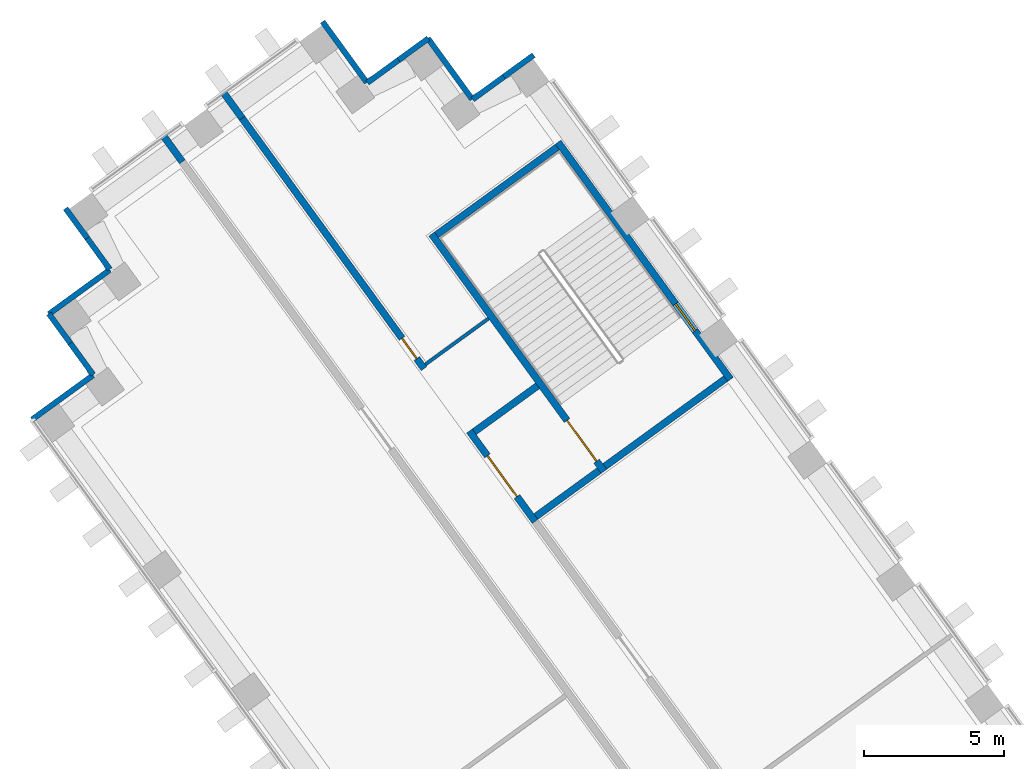
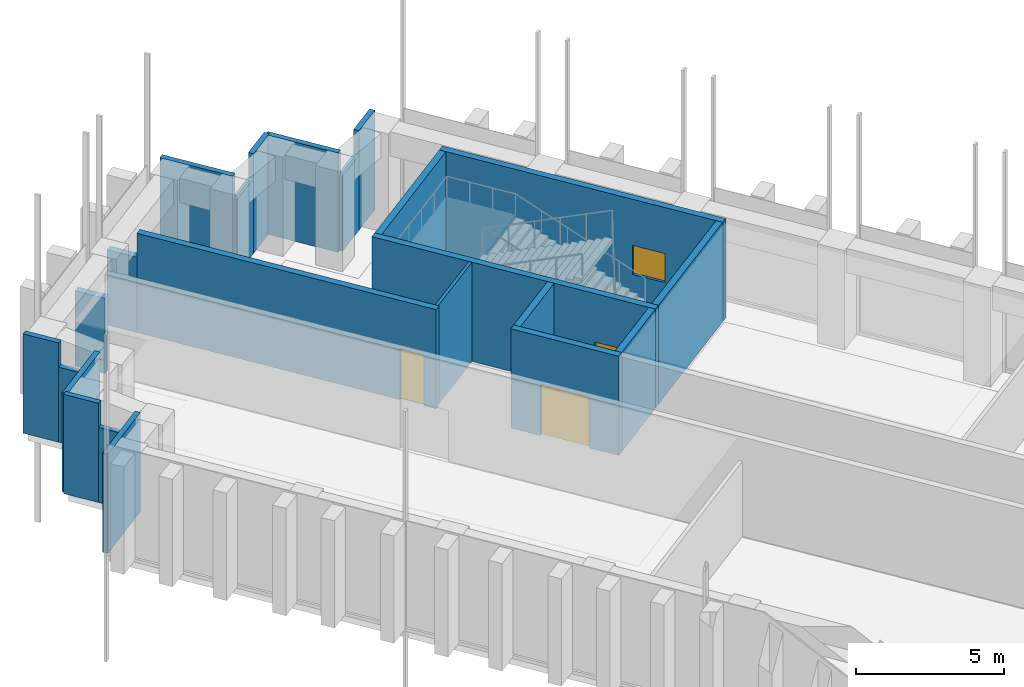
# One storey, part 12 of 18: 23 walls, 3 doors, 1 window, 4 openings.
"""IFC4 building model written with IfcOpenShell, lengths in metres."""

from ifc_helpers import new_model, si_unit, direction, frame, frame_2d, origin, place, context, subcontext, project, spatial, rectangle, extrude, material, layer, layer_set, type_object, element, fill, save


model = new_model("IFC4")

# Units and contexts
model_context = context("Model", 3, precision=1e-05, world=origin(), true_north=direction((0.0, 1.0)))
body_context = subcontext(model_context, "Body", "Model", "MODEL_VIEW")
ifc_project = project(units=[si_unit("LENGTHUNIT", "METRE"), si_unit("AREAUNIT", "SQUARE_METRE"), si_unit("VOLUMEUNIT", "CUBIC_METRE"), si_unit("PLANEANGLEUNIT", "RADIAN"), si_unit("MASSUNIT", "GRAM", prefix="KILO")], contexts=[model_context])

# Site, building, storey
site_placement = place(None, origin())
site = spatial("IfcSite", under=ifc_project, at=site_placement, CompositionType="ELEMENT")
building_placement = place(site_placement, origin())
building = spatial("IfcBuilding", under=site, at=building_placement, Name="Quipu Civic Tower", CompositionType="ELEMENT")
storey_placement = place(building_placement, frame((0.0, 0.0, 16.0)))
storey = spatial("IfcBuildingStorey", under=building, at=storey_placement, Name="L03", CompositionType="ELEMENT", Elevation=16.0)

# Wall, opening, window
ifc_material_1 = material(Name="Concrete C70/85", Category="concrete")
ifc_layer_1 = layer(ifc_material_1, 0.25)
ifc_layer_set_1 = layer_set([ifc_layer_1], Name="Concrete C70/85")
wall_type_1 = type_object("IfcWallType", Name="Core wall 250", PredefinedType="SHEAR", material=ifc_layer_set_1)
wall_1_placement = place(storey_placement, frame((-30.239501953125, 31.06396484375, 0.0), z_axis=(0.0, 0.0, 1.0), x_axis=(-0.587795589702, 0.809009483706, 0.0)))
wall_1 = element("IfcWall", 1, at=wall_1_placement, inside=storey, type_object=wall_type_1, Name="Core wall", PredefinedType="SHEAR", context=body_context, shape_type="SweptSolid", body=[
    extrude(rectangle(XDim=10.5, YDim=0.25, at=frame_2d((5.25, 0.0))), origin(), (0.0, 0.0, 1.0), 4.10009765625),
])
opening_1_placement = place(wall_1_placement, frame((2.14990234375, 0.0, 1.0)))
opening_1 = element("IfcOpeningElement", 2, at=opening_1_placement, cuts=wall_1, Name="Opening SV-6", PredefinedType="OPENING", context=body_context, shape_type="SweptSolid", body=[
    extrude(rectangle(XDim=1.199951171875, YDim=1.199951171875, at=frame_2d((0.60009765625, 0.60009765625))), frame((0.0, 0.135009765625, 0.0), z_axis=(0.0, -1.0, 0.0), x_axis=(1.0, 0.0, 0.0)), (0.0, 0.0, 1.0), 0.27001953125),
])
ifc_material_2 = material(Name="Aluminium louvre", Category="aluminium")
window_type = type_object("IfcWindowType", Name="Stair ventilation louvre 1200 x 1200", PartitioningType="SINGLE_PANEL", PredefinedType="WINDOW", material=ifc_material_2)
window_placement = place(opening_1_placement, origin())
window = element("IfcWindow", 3, at=window_placement, inside=storey, type_object=window_type, Name="Stair ventilation opening", OverallHeight=1.199951171875, OverallWidth=1.199951171875, PartitioningType="SINGLE_PANEL", PredefinedType="WINDOW", context=body_context, shape_type="SweptSolid", body=[
    extrude(rectangle(XDim=1.199951171875, YDim=1.199951171875, at=frame_2d((0.60009765625, 0.60009765625))), frame((0.0, 0.030029296875, 0.0), z_axis=(0.0, -1.0, 0.0), x_axis=(1.0, 0.0, 0.0)), (0.0, 0.0, 1.0), 0.06005859375),
])
fill(opening_1, window)

# Walls
wall_2_placement = place(storey_placement, frame((-30.414306640625, 31.091796875, 0.0), z_axis=(0.0, 0.0, 1.0), x_axis=(-0.8089984606, -0.587810760999, 0.0)))
element("IfcWall", 4, at=wall_2_placement, inside=storey, type_object=wall_type_1, Name="Core wall", PredefinedType="SHEAR", context=body_context, shape_type="SweptSolid", body=[
    extrude(rectangle(XDim=5.35009765625, YDim=0.25, at=frame_2d((2.675048828125, 0.0))), origin(), (0.0, 0.0, 1.0), 4.10009765625),
])
wall_3_placement = place(storey_placement, frame((-36.43896484375, 39.384033203125, 0.0), z_axis=(0.0, 0.0, 1.0), x_axis=(-0.809020161303, -0.587780893365, 0.0)))
element("IfcWall", 5, at=wall_3_placement, inside=storey, type_object=wall_type_1, Name="Core wall", PredefinedType="SHEAR", context=body_context, shape_type="SweptSolid", body=[
    extrude(rectangle(XDim=5.349853515625, YDim=0.25, at=frame_2d((2.6748046875, 0.0))), origin(), (0.0, 0.0, 1.0), 4.10009765625),
])

# Wall, opening, door
wall_4_placement = place(storey_placement, frame((-40.94189453125, 36.26708984375, 0.0), z_axis=(0.0, 0.0, 1.0), x_axis=(0.587795589702, -0.809009483706, 0.0)))
wall_4 = element("IfcWall", 6, at=wall_4_placement, inside=storey, type_object=wall_type_1, Name="Core wall", PredefinedType="SHEAR", context=body_context, shape_type="SweptSolid", body=[
    extrude(rectangle(XDim=10.5, YDim=0.25, at=frame_2d((5.25, 0.0))), origin(), (0.0, 0.0, 1.0), 4.10009765625),
])
opening_2_placement = place(wall_4_placement, frame((8.25, 0.0, 0.0)))
opening_2 = element("IfcOpeningElement", 7, at=opening_2_placement, cuts=wall_4, Name="Opening CD-20", PredefinedType="OPENING", context=body_context, shape_type="SweptSolid", body=[
    extrude(rectangle(XDim=1.800048828125, YDim=2.10009765625, at=frame_2d((0.89990234375, 1.050048828125))), frame((0.0, 0.135009765625, 0.0), z_axis=(0.0, -1.0, 0.0), x_axis=(1.0, 0.0, 0.0)), (0.0, 0.0, 1.0), 0.27001953125),
])
ifc_material_3 = material(Name="Fire rated steel door", Category="steel")
door_type_1 = type_object("IfcDoorType", Name="Fire door FD90 double 1800 x 2100", OperationType="NOTDEFINED", PredefinedType="DOOR", material=ifc_material_3)
door_1_placement = place(opening_2_placement, origin())
door_1 = element("IfcDoor", 8, at=door_1_placement, inside=storey, type_object=door_type_1, Name="Door", OperationType="DOUBLE_DOOR_SINGLE_SWING", OverallHeight=2.10009765625, OverallWidth=1.800048828125, PredefinedType="DOOR", context=body_context, shape_type="SweptSolid", body=[
    extrude(rectangle(XDim=1.800048828125, YDim=2.10009765625, at=frame_2d((0.89990234375, 1.050048828125))), frame((0.0, 0.02490234375, 0.0), z_axis=(0.0, -1.0, 0.0), x_axis=(1.0, 0.0, 0.0)), (0.0, 0.0, 1.0), 0.050048828125),
])
fill(opening_2, door_1)

# Walls
for number, where, z_axis, x_axis, name in (
    (9, (-34.944580078125, 27.800048828125, 0.0), (0.0, 0.0, 1.0), (-0.809041377956, -0.587751689708, 0.0), "Core wall"),
    (10, (-37.14892578125, 30.833984375, 0.0), (0.0, 0.0, 1.0), (-0.808969789945, -0.58785021813, 0.0), "Core wall"),
):
    element("IfcWall", number, at=place(storey_placement, frame(where, z_axis=z_axis, x_axis=x_axis)), inside=storey, type_object=wall_type_1, Name=name, PredefinedType="SHEAR", context=body_context, shape_type="SweptSolid", body=[
        extrude(rectangle(XDim=2.800048828125, YDim=0.25, at=frame_2d((1.39990234375, 0.0))), origin(), (0.0, 0.0, 1.0), 4.10009765625),
    ])

# Wall, opening, door
wall_5_placement = place(storey_placement, frame((-39.588623046875, 29.2158203125, 0.0), z_axis=(0.0, 0.0, 1.0), x_axis=(0.587772420479, -0.809026317077, 0.0)))
wall_5 = element("IfcWall", 11, at=wall_5_placement, inside=storey, type_object=wall_type_1, Name="Core wall", PredefinedType="SHEAR", context=body_context, shape_type="SweptSolid", body=[
    extrude(rectangle(XDim=4.0, YDim=0.25, at=frame_2d((2.0, 0.0))), origin(), (0.0, 0.0, 1.0), 4.10009765625),
])
opening_3_placement = place(wall_5_placement, frame((1.10009765625, 0.0, 0.0)))
opening_3 = element("IfcOpeningElement", 12, at=opening_3_placement, cuts=wall_5, Name="Opening CD-21", PredefinedType="OPENING", context=body_context, shape_type="SweptSolid", body=[
    extrude(rectangle(XDim=1.800048828125, YDim=2.10009765625, at=frame_2d((0.89990234375, 1.050048828125))), frame((0.0, 0.135009765625, 0.0), z_axis=(0.0, -1.0, 0.0), x_axis=(1.0, 0.0, 0.0)), (0.0, 0.0, 1.0), 0.27001953125),
])
door_2_placement = place(opening_3_placement, origin())
door_2 = element("IfcDoor", 13, at=door_2_placement, inside=storey, type_object=door_type_1, Name="Lobby door", OperationType="DOUBLE_DOOR_SINGLE_SWING", OverallHeight=2.10009765625, OverallWidth=1.800048828125, PredefinedType="DOOR", context=body_context, shape_type="SweptSolid", body=[
    extrude(rectangle(XDim=1.800048828125, YDim=2.10009765625, at=frame_2d((0.89990234375, 1.050048828125))), frame((0.0, 0.02490234375, 0.0), z_axis=(0.0, -1.0, 0.0), x_axis=(1.0, 0.0, 0.0)), (0.0, 0.0, 1.0), 0.050048828125),
])
fill(opening_3, door_2)

ifc_material_4 = material(Name="Concrete C50/60", Category="concrete")
ifc_layer_2 = layer(ifc_material_4, 0.25)
ifc_layer_set_2 = layer_set([ifc_layer_2], Name="Concrete C50/60")
wall_type_2 = type_object("IfcWallType", Name="Corridor wall 250 concrete", PredefinedType="SOLIDWALL", material=ifc_layer_set_2)
wall_6_placement = place(storey_placement, frame((-47.724853515625, 40.414306640625, 0.0), z_axis=(0.0, 0.0, 1.0), x_axis=(0.587773291021, -0.809025684612, 0.0)))
wall_6 = element("IfcWall", 14, at=wall_6_placement, inside=storey, type_object=wall_type_2, Name="Corridor wall C03", PredefinedType="SOLIDWALL", context=body_context, shape_type="SweptSolid", body=[
    extrude(rectangle(XDim=11.07861328125, YDim=0.25, at=frame_2d((5.539306640625, 0.0))), origin(), (0.0, 0.0, 1.0), 4.10009765625),
])
opening_4_placement = place(wall_6_placement, frame((9.737060546875, 0.0, 0.0)))
opening_4 = element("IfcOpeningElement", 15, at=opening_4_placement, cuts=wall_6, Name="Opening D012", PredefinedType="OPENING", context=body_context, shape_type="SweptSolid", body=[
    extrude(rectangle(XDim=0.89990234375, YDim=2.10009765625, at=frame_2d((0.449951171875, 1.050048828125))), frame((0.0, 0.135009765625, 0.0), z_axis=(0.0, -1.0, 0.0), x_axis=(1.0, 0.0, 0.0)), (0.0, 0.0, 1.0), 0.27001953125),
])
ifc_material_5 = material(Name="Fire rated timber door set with metal frame", Category="wood")
door_type_2 = type_object("IfcDoorType", Name="Single door 900 x 2100 FD60", OperationType="NOTDEFINED", PredefinedType="DOOR", material=ifc_material_5)
door_3_placement = place(opening_4_placement, origin())
door_3 = element("IfcDoor", 16, at=door_3_placement, inside=storey, type_object=door_type_2, Name="Door D012", OperationType="SINGLE_SWING_RIGHT", OverallHeight=2.10009765625, OverallWidth=0.89990234375, PredefinedType="DOOR", context=body_context, shape_type="SweptSolid", body=[
    extrude(rectangle(XDim=0.89990234375, YDim=2.10009765625, at=frame_2d((0.449951171875, 1.050048828125))), frame((0.0, 0.02490234375, 0.0), z_axis=(0.0, -1.0, 0.0), x_axis=(1.0, 0.0, 0.0)), (0.0, 0.0, 1.0), 0.050048828125),
])
fill(opening_4, door_3)

# Walls
wall_7_placement = place(storey_placement, frame((-49.86865234375, 38.8564453125, 0.0), z_axis=(0.0, 0.0, 1.0), x_axis=(-0.587674273289, 0.809097613712, 0.0)))
element("IfcWall", 17, at=wall_7_placement, inside=storey, type_object=wall_type_2, Name="Corridor wall C02", PredefinedType="SOLIDWALL", context=body_context, shape_type="SweptSolid", body=[
    extrude(rectangle(XDim=1.109130859375, YDim=0.25, at=frame_2d((0.5546875, 0.0))), origin(), (0.0, 0.0, 1.0), 3.10009765625),
])
wall_8_placement = place(storey_placement, frame((-47.724853515625, 40.414306640625, 0.0), z_axis=(0.0, 0.0, 1.0), x_axis=(-0.587883639643, 0.808945502639, 0.0)))
element("IfcWall", 18, at=wall_8_placement, inside=storey, type_object=wall_type_2, Name="Corridor wall C03", PredefinedType="SOLIDWALL", context=body_context, shape_type="SweptSolid", body=[
    extrude(rectangle(XDim=1.10888671875, YDim=0.25, at=frame_2d((0.554443359375, 0.0))), origin(), (0.0, 0.0, 1.0), 3.10009765625),
])
ifc_material_6 = material(Name="Gypsum plasterboard on light gauge framing")
ifc_layer_3 = layer(ifc_material_6, 0.1201171875)
ifc_layer_set_3 = layer_set([ifc_layer_3], Name="Gypsum plasterboard on light gauge framing")
wall_type_3 = type_object("IfcWallType", Name="Partition 120 plasterboard", PredefinedType="PARTITIONING", material=ifc_layer_set_3)
wall_9_placement = place(storey_placement, frame((-41.166015625, 31.59912109375, 0.0), z_axis=(0.0, 0.0, 1.0), x_axis=(0.809090262332, 0.587684394381, 0.0)))
element("IfcWall", 19, at=wall_9_placement, inside=storey, type_object=wall_type_3, Name="Partition P12", PredefinedType="PARTITIONING", context=body_context, shape_type="SweptSolid", body=[
    extrude(rectangle(XDim=2.80078125, YDim=0.1201171875, at=frame_2d((1.400390625, 0.0))), origin(), (0.0, 0.0, 1.0), 4.10009765625),
])
ifc_material_7 = material(Name="Precast concrete C40/50", Category="concrete")
wall_type_4 = type_object("IfcWallType", Name="Precast cladding wall", PredefinedType="SOLIDWALL", material=ifc_material_7)
wall_10_placement = place(storey_placement, frame((-37.286865234375, 42.677734375, 0.0), z_axis=(0.0, 0.0, 1.0), x_axis=(-0.809065186597, -0.587718915671, 0.0)))
element("IfcWall", 20, at=wall_10_placement, inside=storey, type_object=wall_type_4, Name="Precast cladding wall L03 P08", PredefinedType="SOLIDWALL", context=body_context, shape_type="SweptSolid", body=[
    extrude(rectangle(XDim=1.314697265625, YDim=0.199951171875, at=frame_2d((0.6572265625, 0.0))), origin(), (0.0, 0.0, 1.0), 4.10009765625),
])
wall_11_placement = place(storey_placement, frame((-38.3505859375, 41.905029296875, 0.0), z_axis=(0.0, 0.0, 1.0), x_axis=(-0.809002762913, -0.58780483972, 0.0)))
element("IfcWall", 21, at=wall_11_placement, inside=storey, type_object=wall_type_4, Name="Precast cladding wall L03 P08 a", PredefinedType="SOLIDWALL", context=body_context, shape_type="SweptSolid", body=[
    extrude(rectangle(XDim=1.38525390625, YDim=0.199951171875, at=frame_2d((0.692626953125, 0.0))), origin(), (0.0, 0.0, 1.0), 3.10009765625),
])
wall_12_placement = place(storey_placement, frame((-39.488037109375, 41.093505859375, 0.0), z_axis=(0.0, 0.0, 1.0), x_axis=(-0.587806000234, 0.809001919707, 0.0)))
element("IfcWall", 22, at=wall_12_placement, inside=storey, type_object=wall_type_4, Name="Precast cladding wall L03 P09", PredefinedType="SOLIDWALL", context=body_context, shape_type="SweptSolid", body=[
    extrude(rectangle(XDim=2.69970703125, YDim=0.199951171875, at=frame_2d((1.349853515625, 0.0))), origin(), (0.0, 0.0, 1.0), 4.10009765625),
])
wall_13_placement = place(storey_placement, frame((-41.05810546875, 43.275146484375, 0.0), z_axis=(0.0, 0.0, 1.0), x_axis=(-0.809056865039, -0.587730371117, 0.0)))
element("IfcWall", 23, at=wall_13_placement, inside=storey, type_object=wall_type_4, Name="Precast cladding wall L03 P10", PredefinedType="SOLIDWALL", context=body_context, shape_type="SweptSolid", body=[
    extrude(rectangle(XDim=1.31591796875, YDim=0.199951171875, at=frame_2d((0.657958984375, 0.0))), origin(), (0.0, 0.0, 1.0), 4.10009765625),
])
wall_14_placement = place(storey_placement, frame((-42.122802734375, 42.501708984375, 0.0), z_axis=(0.0, 0.0, 1.0), x_axis=(-0.808926734208, -0.5879094647, 0.0)))
element("IfcWall", 24, at=wall_14_placement, inside=storey, type_object=wall_type_4, Name="Precast cladding wall L03 P10 a", PredefinedType="SOLIDWALL", context=body_context, shape_type="SweptSolid", body=[
    extrude(rectangle(XDim=1.384033203125, YDim=0.199951171875, at=frame_2d((0.69189453125, 0.0))), origin(), (0.0, 0.0, 1.0), 3.10009765625),
])
wall_15_placement = place(storey_placement, frame((-43.25927734375, 41.690673828125, 0.0), z_axis=(0.0, 0.0, 1.0), x_axis=(-0.587822180636, 0.808990163075, 0.0)))
element("IfcWall", 25, at=wall_15_placement, inside=storey, type_object=wall_type_4, Name="Precast cladding wall L03 P11", PredefinedType="SOLIDWALL", context=body_context, shape_type="SweptSolid", body=[
    extrude(rectangle(XDim=2.699951171875, YDim=0.199951171875, at=frame_2d((1.35009765625, 0.0))), origin(), (0.0, 0.0, 1.0), 4.10009765625),
])
wall_16_placement = place(storey_placement, frame((-54.0498046875, 37.1884765625, 0.0), z_axis=(0.0, 0.0, 1.0), x_axis=(0.58786388341, -0.808959859686, 0.0)))
element("IfcWall", 26, at=wall_16_placement, inside=storey, type_object=wall_type_4, Name="Precast cladding wall L03 P14", PredefinedType="SOLIDWALL", context=body_context, shape_type="SweptSolid", body=[
    extrude(rectangle(XDim=1.320556640625, YDim=0.199951171875, at=frame_2d((0.66015625, 0.0))), origin(), (0.0, 0.0, 1.0), 4.10009765625),
])
wall_17_placement = place(storey_placement, frame((-53.2734375, 36.1201171875, 0.0), z_axis=(0.0, 0.0, 1.0), x_axis=(0.587782252522, -0.809019173827, 0.0)))
element("IfcWall", 27, at=wall_17_placement, inside=storey, type_object=wall_type_4, Name="Precast cladding wall L03 P14 a", PredefinedType="SOLIDWALL", context=body_context, shape_type="SweptSolid", body=[
    extrude(rectangle(XDim=1.37939453125, YDim=0.199951171875, at=frame_2d((0.689697265625, 0.0))), origin(), (0.0, 0.0, 1.0), 3.10009765625),
])
wall_18_placement = place(storey_placement, frame((-52.46533203125, 34.9873046875, 0.0), z_axis=(0.0, 0.0, 1.0), x_axis=(-0.809033161865, -0.587762999008, 0.0)))
element("IfcWall", 28, at=wall_18_placement, inside=storey, type_object=wall_type_4, Name="Precast cladding wall L03 P15", PredefinedType="SOLIDWALL", context=body_context, shape_type="SweptSolid", body=[
    extrude(rectangle(XDim=2.699951171875, YDim=0.199951171875, at=frame_2d((1.35009765625, 0.0))), origin(), (0.0, 0.0, 1.0), 4.10009765625),
])
wall_19_placement = place(storey_placement, frame((-54.647216796875, 33.4169921875, 0.0), z_axis=(0.0, 0.0, 1.0), x_axis=(0.587871379726, -0.808954412127, 0.0)))
element("IfcWall", 29, at=wall_19_placement, inside=storey, type_object=wall_type_4, Name="Precast cladding wall L03 P16", PredefinedType="SOLIDWALL", context=body_context, shape_type="SweptSolid", body=[
    extrude(rectangle(XDim=1.30517578125, YDim=0.199951171875, at=frame_2d((0.652587890625, 0.0))), origin(), (0.0, 0.0, 1.0), 4.10009765625),
])
wall_20_placement = place(storey_placement, frame((-53.8798828125, 32.361083984375, 0.0), z_axis=(0.0, 0.0, 1.0), x_axis=(0.587776137069, -0.809023616894, 0.0)))
element("IfcWall", 30, at=wall_20_placement, inside=storey, type_object=wall_type_4, Name="Precast cladding wall L03 P16 a", PredefinedType="SOLIDWALL", context=body_context, shape_type="SweptSolid", body=[
    extrude(rectangle(XDim=1.394775390625, YDim=0.199951171875, at=frame_2d((0.697265625, 0.0))), origin(), (0.0, 0.0, 1.0), 3.10009765625),
])
wall_21_placement = place(storey_placement, frame((-53.062744140625, 31.2158203125, 0.0), z_axis=(0.0, 0.0, 1.0), x_axis=(-0.809033161865, -0.587762999008, 0.0)))
element("IfcWall", 31, at=wall_21_placement, inside=storey, type_object=wall_type_4, Name="Precast cladding wall L03 P17", PredefinedType="SOLIDWALL", context=body_context, shape_type="SweptSolid", body=[
    extrude(rectangle(XDim=2.699951171875, YDim=0.199951171875, at=frame_2d((1.35009765625, 0.0))), origin(), (0.0, 0.0, 1.0), 4.10009765625),
])

save(model, "model.ifc")
